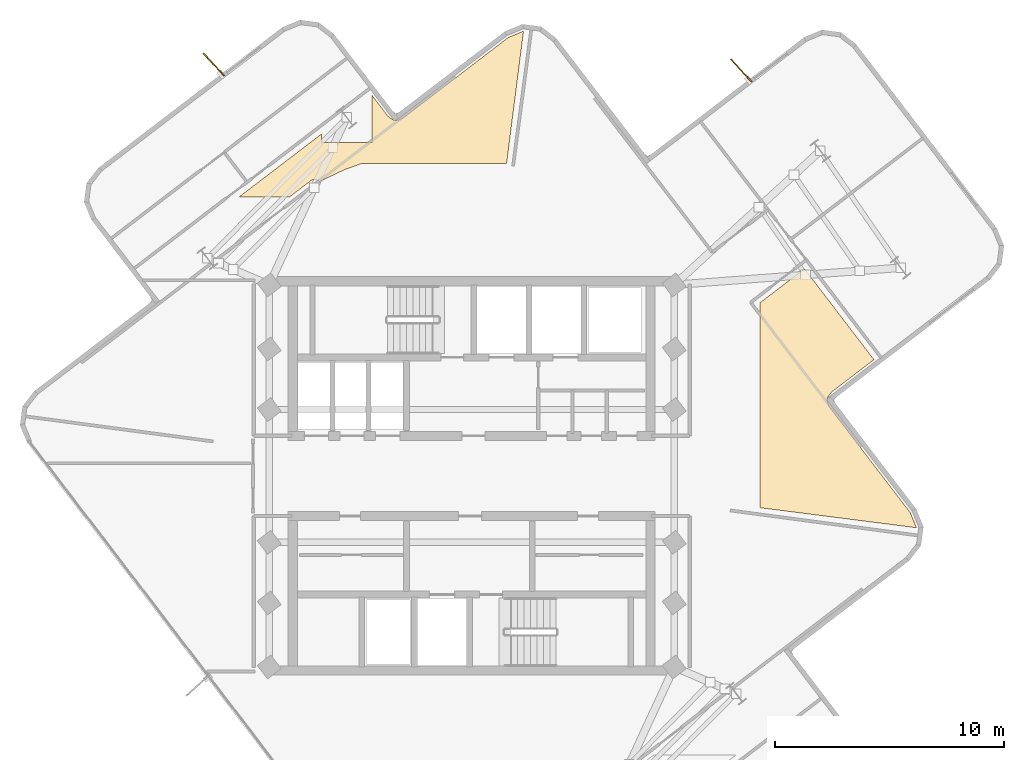
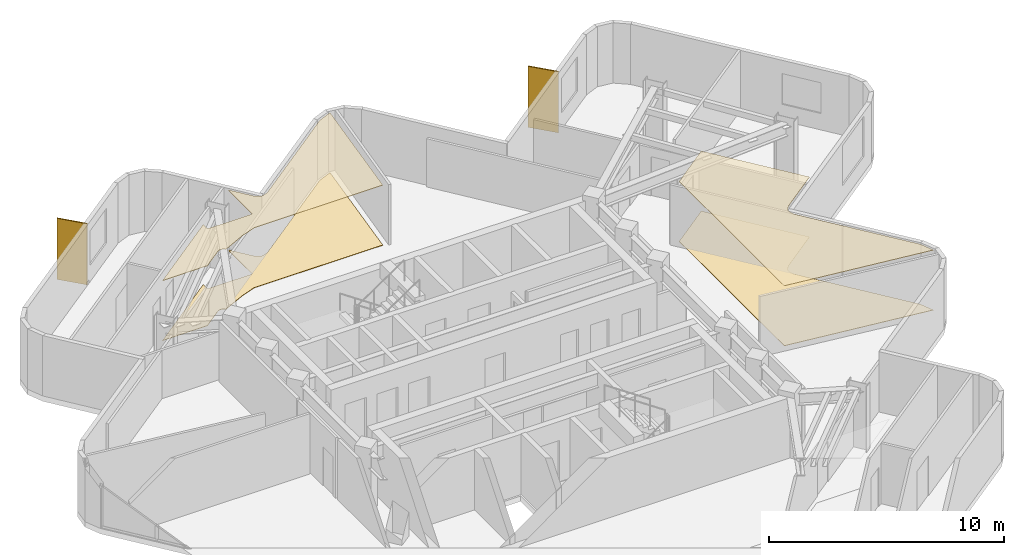
# One storey, part 9 of 9: 4 coverings, 2 shading devices.
"""IFC4 building model written with IfcOpenShell, lengths in metres."""

from ifc_helpers import new_model, si_unit, direction, frame, origin, origin_2d, place, context, subcontext, project, spatial, polyline, rectangle, outline, extrude, material, layer, layer_set, type_object, element, save


model = new_model("IFC4")

# Units and contexts
model_context = context("Model", 3, precision=1e-05, world=origin(), true_north=direction((0.0, 1.0)))
body_context = subcontext(model_context, "Body", "Model", "MODEL_VIEW")
ifc_project = project(units=[si_unit("LENGTHUNIT", "METRE"), si_unit("AREAUNIT", "SQUARE_METRE"), si_unit("VOLUMEUNIT", "CUBIC_METRE"), si_unit("PLANEANGLEUNIT", "RADIAN"), si_unit("MASSUNIT", "GRAM", prefix="KILO")], contexts=[model_context])

# Site, building, storey
site_placement = place(None, origin())
site = spatial("IfcSite", under=ifc_project, at=site_placement, CompositionType="ELEMENT")
building_placement = place(site_placement, origin())
building = spatial("IfcBuilding", under=site, at=building_placement, Name="Solmarez Civic Tower", CompositionType="ELEMENT")
storey_placement = place(building_placement, frame((0.0, 0.0, 229.139892578125)))
storey = spatial("IfcBuildingStorey", under=building, at=storey_placement, Name="L61", CompositionType="ELEMENT", Elevation=229.139892578125)

# Coverings
ifc_material_1 = material(Name="Perforated Mineral-Fibre Acoustic Ceiling")
ifc_layer_1 = layer(ifc_material_1, 0.02490234375)
ifc_layer_set_1 = layer_set([ifc_layer_1], Name="Perforated Mineral-Fibre Acoustic Ceiling")
covering_type_1 = type_object("IfcCoveringType", Name="COV-CEIL-ACOUSTIC", PredefinedType="CEILING", material=ifc_layer_set_1)
covering_1_placement = place(storey_placement, frame((0.0, 0.0, 3.114990234375)))
element("IfcCovering", 1, at=covering_1_placement, inside=storey, type_object=covering_type_1, Name="L61 Suspended Acoustic Ceiling 2", PredefinedType="CEILING", context=body_context, shape_type="SweptSolid", body=[
    extrude(outline(polyline([(-10.156005859375, 12.199951171875), (-7.949951171875, 12.199951171875), (-7.028076171875, 12.905029296875), (-7.010986328125, 12.9169921875), (-6.991943359375, 12.927001953125), (-6.98388671875, 12.930908203125), (-6.967041015625, 12.93896484375), (-6.947998046875, 12.945068359375), (-6.928955078125, 12.949951171875), (-6.924072265625, 12.950927734375), (-6.9189453125, 12.951904296875), (-6.9140625, 12.952880859375), (-6.89306640625, 12.9560546875), (-6.87109375, 12.95703125), (-6.865966796875, 12.95703125), (-6.842041015625, 12.9560546875), (-6.8330078125, 12.955078125), (-6.81298828125, 12.951904296875), (-6.7939453125, 12.947021484375), (-6.784912109375, 12.944091796875), (-6.76611328125, 12.93701171875), (-6.748046875, 12.928955078125), (-6.72998046875, 12.919921875), (-6.721923828125, 12.9150390625), (-6.701904296875, 12.89990234375), (-6.68310546875, 12.884033203125), (-6.676025390625, 12.876953125), (-6.672119140625, 12.873046875), (-6.660888671875, 12.85888671875), (-5.552978515625, 13.384033203125), (-5.532958984375, 13.39208984375), (-4.85107421875, 13.635986328125), (-4.844970703125, 13.637939453125), (-4.818115234375, 13.64501953125), (-4.81298828125, 13.64599609375), (-4.7919921875, 13.64892578125), (-4.77001953125, 13.64990234375), (1.52294921875, 13.64990234375), (2.262939453125, 19.430908203125), (2.256103515625, 19.431884765625), (1.60205078125, 19.162109375), (-2.97412109375, 15.6630859375), (-2.986083984375, 15.655029296875), (-2.991943359375, 15.65087890625), (-3.01611328125, 15.636962890625), (-3.02197265625, 15.634033203125), (-3.028076171875, 15.631103515625), (-3.0419921875, 15.625), (-3.200927734375, 15.55908203125), (-3.22509765625, 15.550048828125), (-3.23193359375, 15.548095703125), (-3.239013671875, 15.547119140625), (-3.2470703125, 15.544921875), (-3.26904296875, 15.5400390625), (-3.280029296875, 15.5390625), (-3.2880859375, 15.5380859375), (-3.305908203125, 15.535888671875), (-3.323974609375, 15.535888671875), (-3.342041015625, 15.5380859375), (-3.35400390625, 15.5390625), (-3.35888671875, 15.5400390625), (-3.364990234375, 15.541015625), (-3.385986328125, 15.5439453125), (-3.405029296875, 15.550048828125), (-3.425048828125, 15.556884765625), (-3.431884765625, 15.56005859375), (-3.43896484375, 15.56298828125), (-3.45703125, 15.572021484375), (-3.47412109375, 15.58203125), (-3.4990234375, 15.59912109375), (-3.637939453125, 15.7060546875), (-3.64306640625, 15.7099609375), (-3.662109375, 15.72607421875), (-3.6669921875, 15.73095703125), (-3.679931640625, 15.74609375), (-3.68505859375, 15.751953125), (-3.69091796875, 15.759033203125), (-4.35791015625, 16.633056640625), (-4.367919921875, 16.625), (-4.367919921875, 14.571044921875), (-6.568115234375, 14.571044921875), (-6.568115234375, 14.943115234375), (-10.156005859375, 12.199951171875)])), origin(), (0.0, 0.0, 1.0), 0.025146484375),
])
covering_2_placement = place(storey_placement, frame((0.0, 0.0, 3.114990234375)))
element("IfcCovering", 2, at=covering_2_placement, inside=storey, type_object=covering_type_1, Name="L61 Suspended Acoustic Ceiling 3", PredefinedType="CEILING", context=body_context, shape_type="SweptSolid", body=[
    extrude(outline(polyline([(12.60009765625, 7.569091796875), (12.60009765625, -1.388916015625), (19.430908203125, -2.262939453125), (19.431884765625, -2.256103515625), (19.162109375, -1.60205078125), (15.6630859375, 2.97412109375), (15.655029296875, 2.986083984375), (15.65087890625, 2.991943359375), (15.636962890625, 3.01611328125), (15.634033203125, 3.02197265625), (15.631103515625, 3.028076171875), (15.625, 3.0419921875), (15.55908203125, 3.200927734375), (15.550048828125, 3.22509765625), (15.548095703125, 3.23193359375), (15.547119140625, 3.239013671875), (15.544921875, 3.2470703125), (15.5400390625, 3.26904296875), (15.5390625, 3.280029296875), (15.5380859375, 3.2880859375), (15.535888671875, 3.305908203125), (15.535888671875, 3.323974609375), (15.5380859375, 3.342041015625), (15.5390625, 3.35400390625), (15.5400390625, 3.35888671875), (15.541015625, 3.364990234375), (15.5439453125, 3.385986328125), (15.550048828125, 3.405029296875), (15.556884765625, 3.425048828125), (15.56005859375, 3.431884765625), (15.56298828125, 3.43896484375), (15.572021484375, 3.45703125), (15.58203125, 3.47412109375), (15.59912109375, 3.4990234375), (15.7060546875, 3.637939453125), (15.7099609375, 3.64306640625), (15.72607421875, 3.662109375), (15.73095703125, 3.6669921875), (15.74609375, 3.679931640625), (15.751953125, 3.68505859375), (15.759033203125, 3.69091796875), (17.577880859375, 5.0810546875), (14.541015625, 9.052978515625), (12.60009765625, 7.569091796875)])), origin(), (0.0, 0.0, 1.0), 0.025146484375),
])
ifc_material_2 = material(Name="Polished Tropical Stone Terrazzo Flooring", Category="masonry")
ifc_layer_2 = layer(ifc_material_2, 0.02001953125)
ifc_layer_set_2 = layer_set([ifc_layer_2], Name="Polished Tropical Stone Terrazzo Flooring")
covering_type_2 = type_object("IfcCoveringType", Name="COV-FLOOR-TERRAZZO", PredefinedType="FLOORING", material=ifc_layer_set_2)
covering_3_placement = place(storey_placement, origin())
element("IfcCovering", 3, at=covering_3_placement, inside=storey, type_object=covering_type_2, Name="L61 Terrazzo Floor Finish 2", PredefinedType="FLOORING", context=body_context, shape_type="SweptSolid", body=[
    extrude(outline(polyline([(-10.156005859375, 12.199951171875), (-7.949951171875, 12.199951171875), (-7.028076171875, 12.905029296875), (-7.010986328125, 12.9169921875), (-6.991943359375, 12.927001953125), (-6.98388671875, 12.930908203125), (-6.967041015625, 12.93896484375), (-6.947998046875, 12.945068359375), (-6.928955078125, 12.949951171875), (-6.924072265625, 12.950927734375), (-6.9189453125, 12.951904296875), (-6.9140625, 12.952880859375), (-6.89306640625, 12.9560546875), (-6.87109375, 12.95703125), (-6.865966796875, 12.95703125), (-6.842041015625, 12.9560546875), (-6.8330078125, 12.955078125), (-6.81298828125, 12.951904296875), (-6.7939453125, 12.947021484375), (-6.784912109375, 12.944091796875), (-6.76611328125, 12.93701171875), (-6.748046875, 12.928955078125), (-6.72998046875, 12.919921875), (-6.721923828125, 12.9150390625), (-6.701904296875, 12.89990234375), (-6.68310546875, 12.884033203125), (-6.676025390625, 12.876953125), (-6.672119140625, 12.873046875), (-6.660888671875, 12.85888671875), (-5.552978515625, 13.384033203125), (-5.532958984375, 13.39208984375), (-4.85107421875, 13.635986328125), (-4.844970703125, 13.637939453125), (-4.818115234375, 13.64501953125), (-4.81298828125, 13.64599609375), (-4.7919921875, 13.64892578125), (-4.77001953125, 13.64990234375), (1.52294921875, 13.64990234375), (2.262939453125, 19.430908203125), (2.256103515625, 19.431884765625), (1.60205078125, 19.162109375), (-2.97412109375, 15.6630859375), (-2.986083984375, 15.655029296875), (-2.991943359375, 15.65087890625), (-3.01611328125, 15.636962890625), (-3.02197265625, 15.634033203125), (-3.028076171875, 15.631103515625), (-3.0419921875, 15.625), (-3.200927734375, 15.55908203125), (-3.22509765625, 15.550048828125), (-3.23193359375, 15.548095703125), (-3.239013671875, 15.547119140625), (-3.2470703125, 15.544921875), (-3.26904296875, 15.5400390625), (-3.280029296875, 15.5390625), (-3.2880859375, 15.5380859375), (-3.305908203125, 15.535888671875), (-3.323974609375, 15.535888671875), (-3.342041015625, 15.5380859375), (-3.35400390625, 15.5390625), (-3.35888671875, 15.5400390625), (-3.364990234375, 15.541015625), (-3.385986328125, 15.5439453125), (-3.405029296875, 15.550048828125), (-3.425048828125, 15.556884765625), (-3.431884765625, 15.56005859375), (-3.43896484375, 15.56298828125), (-3.45703125, 15.572021484375), (-3.47412109375, 15.58203125), (-3.4990234375, 15.59912109375), (-3.637939453125, 15.7060546875), (-3.64306640625, 15.7099609375), (-3.662109375, 15.72607421875), (-3.6669921875, 15.73095703125), (-3.679931640625, 15.74609375), (-3.68505859375, 15.751953125), (-3.69091796875, 15.759033203125), (-4.35791015625, 16.633056640625), (-4.367919921875, 16.625), (-4.367919921875, 14.571044921875), (-6.568115234375, 14.571044921875), (-6.568115234375, 14.943115234375), (-10.156005859375, 12.199951171875)])), origin(), (0.0, 0.0, 1.0), 0.02001953125),
])
covering_4_placement = place(storey_placement, origin())
element("IfcCovering", 4, at=covering_4_placement, inside=storey, type_object=covering_type_2, Name="L61 Terrazzo Floor Finish 3", PredefinedType="FLOORING", context=body_context, shape_type="SweptSolid", body=[
    extrude(outline(polyline([(12.60009765625, 7.569091796875), (12.60009765625, -1.388916015625), (19.430908203125, -2.262939453125), (19.431884765625, -2.256103515625), (19.162109375, -1.60205078125), (15.6630859375, 2.97412109375), (15.655029296875, 2.986083984375), (15.65087890625, 2.991943359375), (15.636962890625, 3.01611328125), (15.634033203125, 3.02197265625), (15.631103515625, 3.028076171875), (15.625, 3.0419921875), (15.55908203125, 3.200927734375), (15.550048828125, 3.22509765625), (15.548095703125, 3.23193359375), (15.547119140625, 3.239013671875), (15.544921875, 3.2470703125), (15.5400390625, 3.26904296875), (15.5390625, 3.280029296875), (15.5380859375, 3.2880859375), (15.535888671875, 3.305908203125), (15.535888671875, 3.323974609375), (15.5380859375, 3.342041015625), (15.5390625, 3.35400390625), (15.5400390625, 3.35888671875), (15.541015625, 3.364990234375), (15.5439453125, 3.385986328125), (15.550048828125, 3.405029296875), (15.556884765625, 3.425048828125), (15.56005859375, 3.431884765625), (15.56298828125, 3.43896484375), (15.572021484375, 3.45703125), (15.58203125, 3.47412109375), (15.59912109375, 3.4990234375), (15.7060546875, 3.637939453125), (15.7099609375, 3.64306640625), (15.72607421875, 3.662109375), (15.73095703125, 3.6669921875), (15.74609375, 3.679931640625), (15.751953125, 3.68505859375), (15.759033203125, 3.69091796875), (17.577880859375, 5.0810546875), (14.541015625, 9.052978515625), (12.60009765625, 7.569091796875)])), origin(), (0.0, 0.0, 1.0), 0.02001953125),
])

# Shading devices
ifc_material_3 = material(Name="Bronze Anodised Aluminium EN AW-6063 T6", Category="aluminium")
ifc_layer_3 = layer(ifc_material_3, 0.054931640625)
ifc_layer_set_3 = layer_set([ifc_layer_3], Name="Bronze Anodised Aluminium EN AW-6063 T6")
shading_device_type = type_object("IfcShadingDeviceType", Name="FIN-BRONZE-Z56", PredefinedType="USERDEFINED", material=ifc_layer_set_3)
for number, where, z_axis, x_axis, name in (
    (5, (-11.26904296875, 17.97607421875, -0.0400390625), (0.0, 0.0, 1.0), (-0.673864060665, 0.738855349675, 0.0), "L61 Anodised Bronze Solar Fin FIN-L61-03"),
    (6, (11.77490234375, 17.718994140625, -0.0400390625), (0.0, 0.0, 1.0), (-0.673941429722, 0.738784778745, 0.0), "L61 Anodised Bronze Solar Fin FIN-L61-04"),
):
    element("IfcShadingDevice", number, at=place(storey_placement, frame(where, z_axis=z_axis, x_axis=x_axis)), inside=storey, type_object=shading_device_type, Name=name, ObjectType="FIN", PredefinedType="USERDEFINED", context=body_context, shape_type="SweptSolid", body=[
        extrude(rectangle(XDim=1.35009765625, YDim=0.054931640625, at=origin_2d()), origin(), (0.0, 0.0, 1.0), 3.179931640625),
    ])

save(model, "model.ifc")
